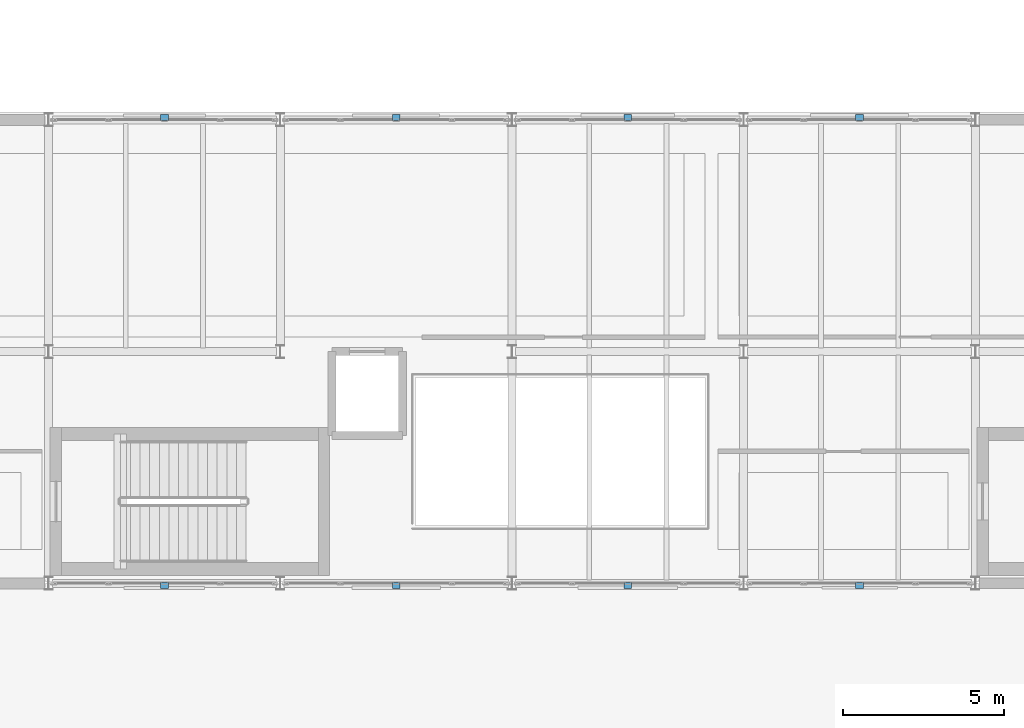
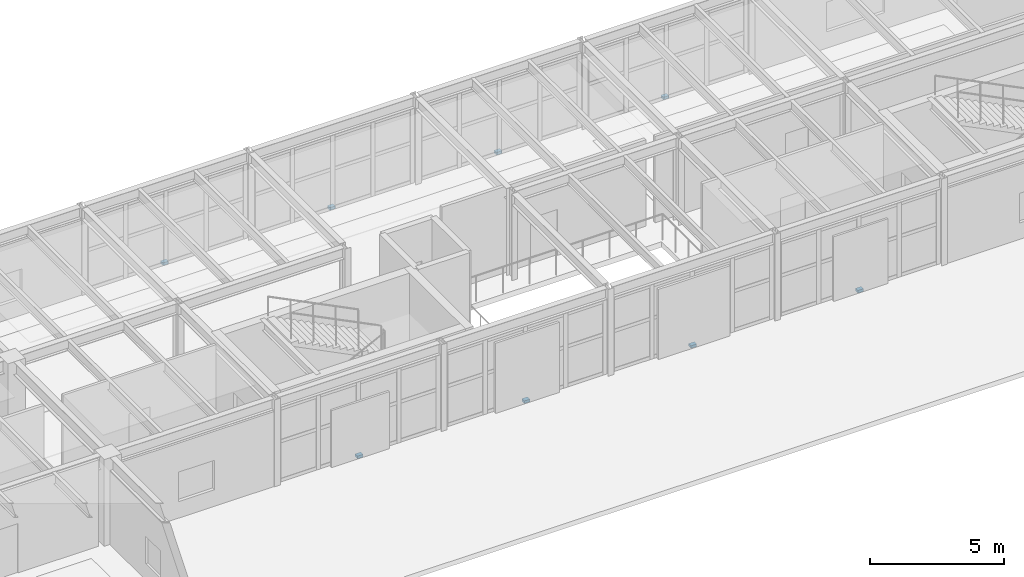
# One storey, part 31 of 37: 8 discrete accessories.
"""IFC4 building model written with IfcOpenShell, lengths in metres."""

from ifc_helpers import new_model, si_unit, direction, frame, origin, origin_2d, place, context, subcontext, project, spatial, rectangle, extrude, material, type_object, element, save


model = new_model("IFC4")

# Units and contexts
model_context = context("Model", 3, precision=1e-05, world=origin(), true_north=direction((0.0, 1.0)))
body_context = subcontext(model_context, "Body", "Model", "MODEL_VIEW")
ifc_project = project(units=[si_unit("LENGTHUNIT", "METRE"), si_unit("AREAUNIT", "SQUARE_METRE"), si_unit("VOLUMEUNIT", "CUBIC_METRE"), si_unit("PLANEANGLEUNIT", "RADIAN"), si_unit("MASSUNIT", "GRAM", prefix="KILO")], contexts=[model_context])

# Site, building, storey
site_placement = place(None, origin())
site = spatial("IfcSite", under=ifc_project, at=site_placement, CompositionType="ELEMENT")
building_placement = place(site_placement, origin())
building = spatial("IfcBuilding", under=site, at=building_placement, Name="Kandorven Conservatory and Botanical Research Centre", CompositionType="ELEMENT")
storey_placement = place(building_placement, frame((0.0, 0.0, 9.0)))
storey = spatial("IfcBuildingStorey", under=building, at=storey_placement, Name="L02", CompositionType="ELEMENT", Elevation=9.0)

# Discrete accessories
ifc_material = material(Name="Steel S355 (IS 2062 E350)", Category="steel")
discrete_accessory_type = type_object("IfcDiscreteAccessoryType", Name="JaliBracket", PredefinedType="BRACKET", material=ifc_material)
for number, where, z_axis, x_axis, name in (
    (1, (52.800048828125, 13.1298828125, -0.010009765625), (0.0, 0.0, 1.0), (1.0, 0.0, 0.0), "Stainless steel jali support bracket BRK-01 #9"),
    (2, (60.0, 13.1298828125, -0.010009765625), (0.0, 0.0, 1.0), (1.0, 0.0, 0.0), "Stainless steel jali support bracket BRK-01 #10"),
    (3, (67.199951171875, 13.1298828125, -0.010009765625), (0.0, 0.0, 1.0), (1.0, 0.0, 0.0), "Stainless steel jali support bracket BRK-01 #11"),
    (4, (74.39990234375, 13.1298828125, -0.010009765625), (0.0, 0.0, 1.0), (1.0, 0.0, 0.0), "Stainless steel jali support bracket BRK-01 #12"),
    (5, (52.800048828125, 27.669921875, -0.010009765625), (0.0, 0.0, 1.0), (1.0, 0.0, 0.0), "Stainless steel jali support bracket BRK-01 #13"),
    (6, (60.0, 27.669921875, -0.010009765625), (0.0, 0.0, 1.0), (1.0, 0.0, 0.0), "Stainless steel jali support bracket BRK-01 #14"),
    (7, (67.199951171875, 27.669921875, -0.010009765625), (0.0, 0.0, 1.0), (1.0, 0.0, 0.0), "Stainless steel jali support bracket BRK-01 #15"),
    (8, (74.39990234375, 27.669921875, -0.010009765625), (0.0, 0.0, 1.0), (1.0, 0.0, 0.0), "Stainless steel jali support bracket BRK-01 #16"),
):
    element("IfcDiscreteAccessory", number, at=place(storey_placement, frame(where, z_axis=z_axis, x_axis=x_axis)), inside=storey, type_object=discrete_accessory_type, Name=name, PredefinedType="BRACKET", context=body_context, shape_type="SweptSolid", body=[
        extrude(rectangle(XDim=0.239990234375, YDim=0.179931640625, at=origin_2d()), origin(), (0.0, 0.0, 1.0), 0.1201171875),
    ])

save(model, "model.ifc")
